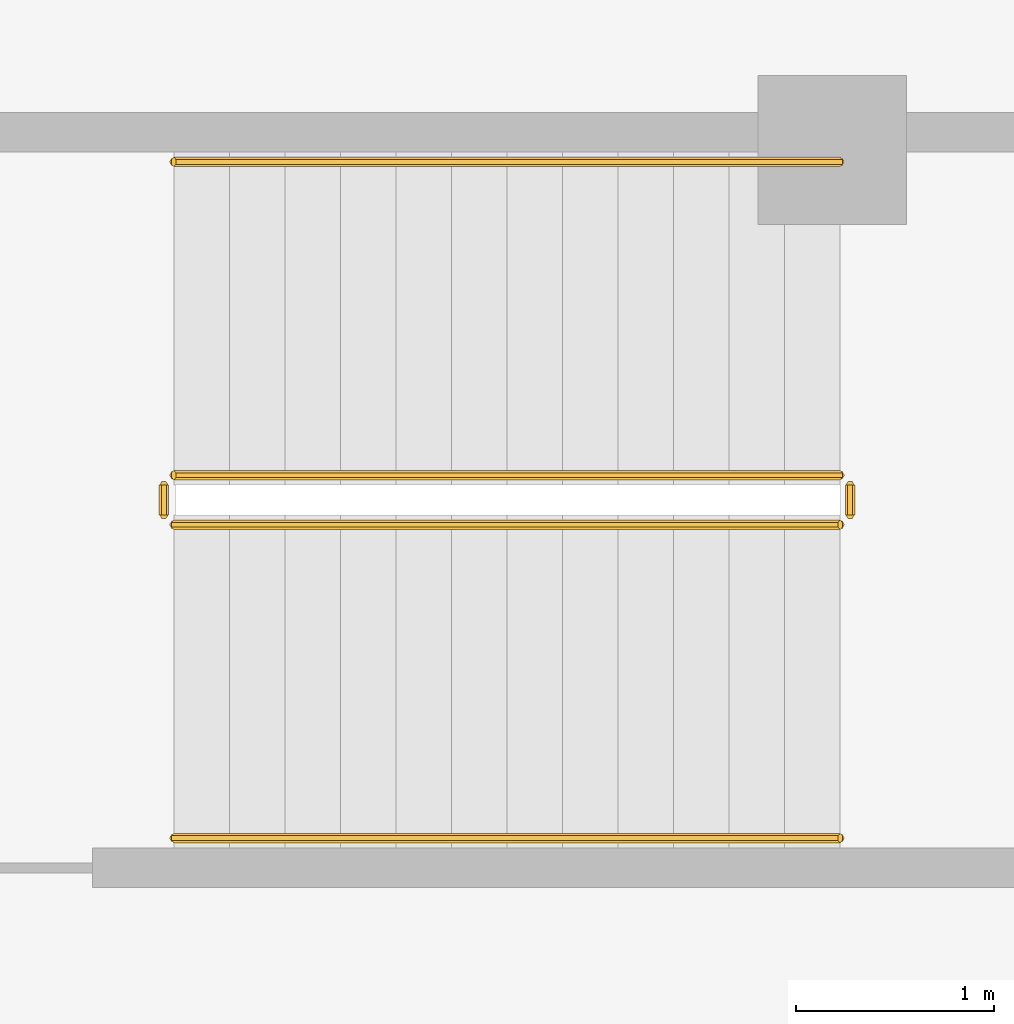
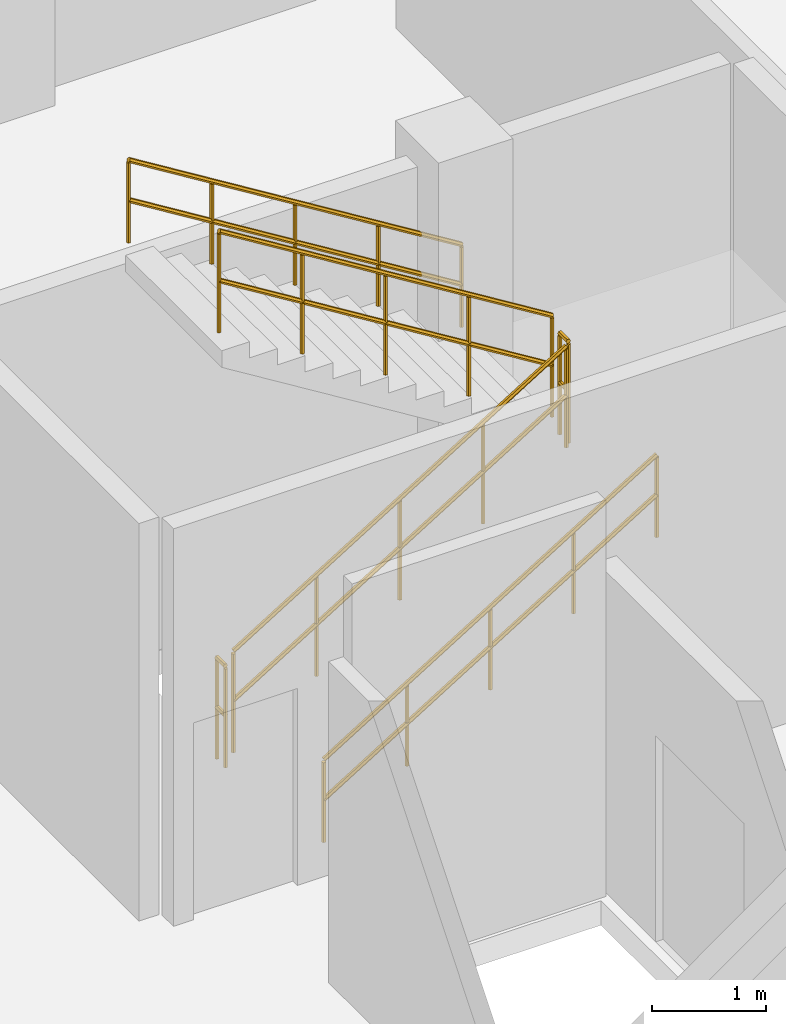
# One storey, part 54 of 55: 6 railings.
"""IFC4 building model written with IfcOpenShell, lengths in metres."""

from ifc_helpers import new_model, si_unit, direction, frame, origin, place, context, subcontext, project, spatial, polyline, outline, extrude, material, type_object, element, save


model = new_model("IFC4")

# Units and contexts
model_context = context("Model", 3, precision=1e-05, world=origin(), true_north=direction((0.0, 1.0)))
body_context = subcontext(model_context, "Body", "Model", "MODEL_VIEW")
ifc_project = project(units=[si_unit("LENGTHUNIT", "METRE"), si_unit("AREAUNIT", "SQUARE_METRE"), si_unit("VOLUMEUNIT", "CUBIC_METRE"), si_unit("PLANEANGLEUNIT", "RADIAN"), si_unit("MASSUNIT", "GRAM", prefix="KILO")], contexts=[model_context])

# Site, building, storey
site_placement = place(None, origin())
site = spatial("IfcSite", under=ifc_project, at=site_placement, CompositionType="ELEMENT")
building_placement = place(site_placement, origin())
building = spatial("IfcBuilding", under=site, at=building_placement, Name="Kelanora Arch Commons", CompositionType="ELEMENT")
storey_placement = place(building_placement, frame((0.0, 0.0, 4.5)))
storey = spatial("IfcBuildingStorey", under=building, at=storey_placement, Name="L01", CompositionType="ELEMENT", Elevation=4.5)

# Railings
ifc_material_1 = material(Name="Painted steel stair well guard", Category="steel")
railing_type_1 = type_object("IfcRailingType", Name="RAIL-STAIR-GRD", PredefinedType="GUARDRAIL", material=ifc_material_1)
railing_1_placement = place(storey_placement, frame((8.679931640625, 72.110107421875, 0.173095703125)))
element("IfcRailing", 1, at=railing_1_placement, inside=storey, type_object=railing_type_1, Name="L01 ST-M3 stair guard 1", PredefinedType="GUARDRAIL", context=body_context, shape_type="SweptSolid", body=[
    extrude(outline(polyline([(0.02392578125, 0.0), (0.011962890625, 0.020751953125), (-0.011962890625, 0.020751953125), (-0.02392578125, 0.0), (-0.011962890625, -0.020751953125), (0.011962890625, -0.020751953125), (0.02392578125, 0.0)])), frame((0.0, 0.0, 1.076171875), z_axis=(0.850623216509, 0.0, 0.525775754039), x_axis=(0.0, 1.0, 0.0)), (0.0, 0.0, 1.0), 3.9501953125),
    extrude(outline(polyline([(0.02392578125, 0.0), (0.011962890625, 0.020751953125), (-0.011962890625, 0.020751953125), (-0.02392578125, 0.0), (-0.011962890625, -0.020751953125), (0.011962890625, -0.020751953125), (0.02392578125, 0.0)])), frame((0.0, 0.0, 0.550048828125), z_axis=(0.850623216509, 0.0, 0.525775754039), x_axis=(0.0, 1.0, 0.0)), (0.0, 0.0, 1.0), 3.9501953125),
    extrude(outline(polyline([(0.02099609375, 0.0), (0.010498046875, 0.01806640625), (-0.010498046875, 0.01806640625), (-0.02099609375, 0.0), (-0.010498046875, -0.01806640625), (0.010498046875, -0.01806640625), (0.02099609375, 0.0)])), origin(), (0.0, 0.0, 1.0), 1.052001953125),
    extrude(outline(polyline([(0.02099609375, 0.0), (0.010498046875, 0.01806640625), (-0.010498046875, 0.01806640625), (-0.02099609375, 0.0), (-0.010498046875, -0.01806640625), (0.010498046875, -0.01806640625), (0.02099609375, 0.0)])), frame((0.840087890625, 0.0, 0.519287109375)), (0.0, 0.0, 1.0), 1.052001953125),
    extrude(outline(polyline([(0.02099609375, 0.0), (0.010498046875, 0.01806640625), (-0.010498046875, 0.01806640625), (-0.02099609375, 0.0), (-0.010498046875, -0.01806640625), (0.010498046875, -0.01806640625), (0.02099609375, 0.0)])), frame((1.68017578125, 0.0, 1.03857421875)), (0.0, 0.0, 1.0), 1.052001953125),
    extrude(outline(polyline([(0.02099609375, 0.0), (0.010498046875, 0.01806640625), (-0.010498046875, 0.01806640625), (-0.02099609375, 0.0), (-0.010498046875, -0.01806640625), (0.010498046875, -0.01806640625), (0.02099609375, 0.0)])), frame((2.52001953125, 0.0, 1.5576171875)), (0.0, 0.0, 1.0), 1.052001953125),
    extrude(outline(polyline([(0.02099609375, 0.0), (0.010498046875, 0.01806640625), (-0.010498046875, 0.01806640625), (-0.02099609375, 0.0), (-0.010498046875, -0.01806640625), (0.010498046875, -0.01806640625), (0.02099609375, 0.0)])), frame((3.360107421875, 0.0, 2.076904296875)), (0.0, 0.0, 1.0), 1.052001953125),
])
railing_2_placement = place(storey_placement, frame((12.090087890625, 72.159912109375, 2.25)))
element("IfcRailing", 2, at=railing_2_placement, inside=storey, type_object=railing_type_1, Name="L01 ST-M3 stair guard 2", PredefinedType="GUARDRAIL", context=body_context, shape_type="SweptSolid", body=[
    extrude(outline(polyline([(0.02392578125, 0.0), (0.011962890625, 0.020751953125), (-0.011962890625, 0.020751953125), (-0.02392578125, 0.0), (-0.011962890625, -0.020751953125), (0.011962890625, -0.020751953125), (0.02392578125, 0.0)])), frame((0.0, 0.0, 1.076171875), z_axis=(0.0, 1.0, 0.0), x_axis=(-1.0, 0.0, 0.0)), (0.0, 0.0, 1.0), 0.150146484375),
    extrude(outline(polyline([(0.02392578125, 0.0), (0.011962890625, 0.020751953125), (-0.011962890625, 0.020751953125), (-0.02392578125, 0.0), (-0.011962890625, -0.020751953125), (0.011962890625, -0.020751953125), (0.02392578125, 0.0)])), frame((0.0, 0.0, 0.550048828125), z_axis=(0.0, 1.0, 0.0), x_axis=(-1.0, 0.0, 0.0)), (0.0, 0.0, 1.0), 0.150146484375),
    extrude(outline(polyline([(0.02099609375, 0.0), (0.010498046875, 0.01806640625), (-0.010498046875, 0.01806640625), (-0.02099609375, 0.0), (-0.010498046875, -0.01806640625), (0.010498046875, -0.01806640625), (0.02099609375, 0.0)])), origin(), (0.0, 0.0, 1.0), 1.052001953125),
    extrude(outline(polyline([(0.02099609375, 0.0), (0.010498046875, 0.01806640625), (-0.010498046875, 0.01806640625), (-0.02099609375, 0.0), (-0.010498046875, -0.01806640625), (0.010498046875, -0.01806640625), (0.02099609375, 0.0)])), frame((0.0, 0.150146484375, 0.0)), (0.0, 0.0, 1.0), 1.052001953125),
])
railing_3_placement = place(storey_placement, frame((12.0400390625, 72.360107421875, 2.423095703125)))
element("IfcRailing", 3, at=railing_3_placement, inside=storey, type_object=railing_type_1, Name="L01 ST-M3 stair guard 3", PredefinedType="GUARDRAIL", context=body_context, shape_type="SweptSolid", body=[
    extrude(outline(polyline([(0.02392578125, 0.0), (0.011962890625, 0.020751953125), (-0.011962890625, 0.020751953125), (-0.02392578125, 0.0), (-0.011962890625, -0.020751953125), (0.011962890625, -0.020751953125), (0.02392578125, 0.0)])), frame((0.0, 0.0, 1.076171875), z_axis=(-0.850623216509, 0.0, 0.525775754039), x_axis=(0.0, -1.0, 0.0)), (0.0, 0.0, 1.0), 3.9501953125),
    extrude(outline(polyline([(0.02392578125, 0.0), (0.011962890625, 0.020751953125), (-0.011962890625, 0.020751953125), (-0.02392578125, 0.0), (-0.011962890625, -0.020751953125), (0.011962890625, -0.020751953125), (0.02392578125, 0.0)])), frame((0.0, 0.0, 0.550048828125), z_axis=(-0.850623216509, 0.0, 0.525775754039), x_axis=(0.0, -1.0, 0.0)), (0.0, 0.0, 1.0), 3.9501953125),
    extrude(outline(polyline([(0.02099609375, 0.0), (0.010498046875, 0.01806640625), (-0.010498046875, 0.01806640625), (-0.02099609375, 0.0), (-0.010498046875, -0.01806640625), (0.010498046875, -0.01806640625), (0.02099609375, 0.0)])), origin(), (0.0, 0.0, 1.0), 1.052001953125),
    extrude(outline(polyline([(0.02099609375, 0.0), (0.010498046875, 0.01806640625), (-0.010498046875, 0.01806640625), (-0.02099609375, 0.0), (-0.010498046875, -0.01806640625), (0.010498046875, -0.01806640625), (0.02099609375, 0.0)])), frame((-0.840087890625, 0.0, 0.519287109375)), (0.0, 0.0, 1.0), 1.052001953125),
    extrude(outline(polyline([(0.02099609375, 0.0), (0.010498046875, 0.01806640625), (-0.010498046875, 0.01806640625), (-0.02099609375, 0.0), (-0.010498046875, -0.01806640625), (0.010498046875, -0.01806640625), (0.02099609375, 0.0)])), frame((-1.68017578125, 0.0, 1.03857421875)), (0.0, 0.0, 1.0), 1.052001953125),
    extrude(outline(polyline([(0.02099609375, 0.0), (0.010498046875, 0.01806640625), (-0.010498046875, 0.01806640625), (-0.02099609375, 0.0), (-0.010498046875, -0.01806640625), (0.010498046875, -0.01806640625), (0.02099609375, 0.0)])), frame((-2.52001953125, 0.0, 1.5576171875)), (0.0, 0.0, 1.0), 1.052001953125),
    extrude(outline(polyline([(0.02099609375, 0.0), (0.010498046875, 0.01806640625), (-0.010498046875, 0.01806640625), (-0.02099609375, 0.0), (-0.010498046875, -0.01806640625), (0.010498046875, -0.01806640625), (0.02099609375, 0.0)])), frame((-3.360107421875, 0.0, 2.076904296875)), (0.0, 0.0, 1.0), 1.052001953125),
])
railing_4_placement = place(storey_placement, frame((8.6298828125, 72.159912109375, 0.0)))
element("IfcRailing", 4, at=railing_4_placement, inside=storey, type_object=railing_type_1, Name="L01 ST-M3 stair guard 4", PredefinedType="GUARDRAIL", context=body_context, shape_type="SweptSolid", body=[
    extrude(outline(polyline([(0.02392578125, 0.0), (0.011962890625, 0.020751953125), (-0.011962890625, 0.020751953125), (-0.02392578125, 0.0), (-0.011962890625, -0.020751953125), (0.011962890625, -0.020751953125), (0.02392578125, 0.0)])), frame((0.0, 0.0, 1.076171875), z_axis=(0.0, 1.0, 0.0), x_axis=(-1.0, 0.0, 0.0)), (0.0, 0.0, 1.0), 0.150146484375),
    extrude(outline(polyline([(0.02392578125, 0.0), (0.011962890625, 0.020751953125), (-0.011962890625, 0.020751953125), (-0.02392578125, 0.0), (-0.011962890625, -0.020751953125), (0.011962890625, -0.020751953125), (0.02392578125, 0.0)])), frame((0.0, 0.0, 0.550048828125), z_axis=(0.0, 1.0, 0.0), x_axis=(-1.0, 0.0, 0.0)), (0.0, 0.0, 1.0), 0.150146484375),
    extrude(outline(polyline([(0.02099609375, 0.0), (0.010498046875, 0.01806640625), (-0.010498046875, 0.01806640625), (-0.02099609375, 0.0), (-0.010498046875, -0.01806640625), (0.010498046875, -0.01806640625), (0.02099609375, 0.0)])), origin(), (0.0, 0.0, 1.0), 1.052001953125),
    extrude(outline(polyline([(0.02099609375, 0.0), (0.010498046875, 0.01806640625), (-0.010498046875, 0.01806640625), (-0.02099609375, 0.0), (-0.010498046875, -0.01806640625), (0.010498046875, -0.01806640625), (0.02099609375, 0.0)])), frame((0.0, 0.150146484375, 0.0)), (0.0, 0.0, 1.0), 1.052001953125),
])
ifc_material_2 = material(Name="Brushed stainless steel stair handrail", Category="steel")
railing_type_2 = type_object("IfcRailingType", Name="RAIL-STAIR-HND", PredefinedType="HANDRAIL", material=ifc_material_2)
railing_5_placement = place(storey_placement, frame((8.679931640625, 70.530029296875, 0.173095703125)))
element("IfcRailing", 5, at=railing_5_placement, inside=storey, type_object=railing_type_2, Name="L01 ST-M3 stair handrail 1", PredefinedType="HANDRAIL", context=body_context, shape_type="SweptSolid", body=[
    extrude(outline(polyline([(0.02392578125, 0.0), (0.011962890625, 0.020751953125), (-0.011962890625, 0.020751953125), (-0.02392578125, 0.0), (-0.011962890625, -0.020751953125), (0.011962890625, -0.020751953125), (0.02392578125, 0.0)])), frame((0.0, 0.0, 0.8759765625), z_axis=(0.850623216509, 0.0, 0.525775754039), x_axis=(0.0, 1.0, 0.0)), (0.0, 0.0, 1.0), 3.9501953125),
    extrude(outline(polyline([(0.02392578125, 0.0), (0.011962890625, 0.020751953125), (-0.011962890625, 0.020751953125), (-0.02392578125, 0.0), (-0.011962890625, -0.020751953125), (0.011962890625, -0.020751953125), (0.02392578125, 0.0)])), frame((0.0, 0.0, 0.449951171875), z_axis=(0.850623216509, 0.0, 0.525775754039), x_axis=(0.0, 1.0, 0.0)), (0.0, 0.0, 1.0), 3.9501953125),
    extrude(outline(polyline([(0.02099609375, 0.0), (0.010498046875, 0.01806640625), (-0.010498046875, 0.01806640625), (-0.02099609375, 0.0), (-0.010498046875, -0.01806640625), (0.010498046875, -0.01806640625), (0.02099609375, 0.0)])), origin(), (0.0, 0.0, 1.0), 0.851806640625),
    extrude(outline(polyline([(0.02099609375, 0.0), (0.010498046875, 0.01806640625), (-0.010498046875, 0.01806640625), (-0.02099609375, 0.0), (-0.010498046875, -0.01806640625), (0.010498046875, -0.01806640625), (0.02099609375, 0.0)])), frame((0.840087890625, 0.0, 0.519287109375)), (0.0, 0.0, 1.0), 0.851806640625),
    extrude(outline(polyline([(0.02099609375, 0.0), (0.010498046875, 0.01806640625), (-0.010498046875, 0.01806640625), (-0.02099609375, 0.0), (-0.010498046875, -0.01806640625), (0.010498046875, -0.01806640625), (0.02099609375, 0.0)])), frame((1.68017578125, 0.0, 1.03857421875)), (0.0, 0.0, 1.0), 0.851806640625),
    extrude(outline(polyline([(0.02099609375, 0.0), (0.010498046875, 0.01806640625), (-0.010498046875, 0.01806640625), (-0.02099609375, 0.0), (-0.010498046875, -0.01806640625), (0.010498046875, -0.01806640625), (0.02099609375, 0.0)])), frame((2.52001953125, 0.0, 1.5576171875)), (0.0, 0.0, 1.0), 0.851806640625),
    extrude(outline(polyline([(0.02099609375, 0.0), (0.010498046875, 0.01806640625), (-0.010498046875, 0.01806640625), (-0.02099609375, 0.0), (-0.010498046875, -0.01806640625), (0.010498046875, -0.01806640625), (0.02099609375, 0.0)])), frame((3.360107421875, 0.0, 2.076904296875)), (0.0, 0.0, 1.0), 0.851806640625),
])
railing_6_placement = place(storey_placement, frame((12.0400390625, 73.93994140625, 2.423095703125)))
element("IfcRailing", 6, at=railing_6_placement, inside=storey, type_object=railing_type_2, Name="L01 ST-M3 stair handrail 2", PredefinedType="HANDRAIL", context=body_context, shape_type="SweptSolid", body=[
    extrude(outline(polyline([(0.02392578125, 0.0), (0.011962890625, 0.020751953125), (-0.011962890625, 0.020751953125), (-0.02392578125, 0.0), (-0.011962890625, -0.020751953125), (0.011962890625, -0.020751953125), (0.02392578125, 0.0)])), frame((0.0, 0.0, 0.8759765625), z_axis=(-0.850623216509, 0.0, 0.525775754039), x_axis=(0.0, -1.0, 0.0)), (0.0, 0.0, 1.0), 3.9501953125),
    extrude(outline(polyline([(0.02392578125, 0.0), (0.011962890625, 0.020751953125), (-0.011962890625, 0.020751953125), (-0.02392578125, 0.0), (-0.011962890625, -0.020751953125), (0.011962890625, -0.020751953125), (0.02392578125, 0.0)])), frame((0.0, 0.0, 0.449951171875), z_axis=(-0.850623216509, 0.0, 0.525775754039), x_axis=(0.0, -1.0, 0.0)), (0.0, 0.0, 1.0), 3.9501953125),
    extrude(outline(polyline([(0.02099609375, 0.0), (0.010498046875, 0.01806640625), (-0.010498046875, 0.01806640625), (-0.02099609375, 0.0), (-0.010498046875, -0.01806640625), (0.010498046875, -0.01806640625), (0.02099609375, 0.0)])), origin(), (0.0, 0.0, 1.0), 0.851806640625),
    extrude(outline(polyline([(0.02099609375, 0.0), (0.010498046875, 0.01806640625), (-0.010498046875, 0.01806640625), (-0.02099609375, 0.0), (-0.010498046875, -0.01806640625), (0.010498046875, -0.01806640625), (0.02099609375, 0.0)])), frame((-0.840087890625, 0.0, 0.519287109375)), (0.0, 0.0, 1.0), 0.851806640625),
    extrude(outline(polyline([(0.02099609375, 0.0), (0.010498046875, 0.01806640625), (-0.010498046875, 0.01806640625), (-0.02099609375, 0.0), (-0.010498046875, -0.01806640625), (0.010498046875, -0.01806640625), (0.02099609375, 0.0)])), frame((-1.68017578125, 0.0, 1.03857421875)), (0.0, 0.0, 1.0), 0.851806640625),
    extrude(outline(polyline([(0.02099609375, 0.0), (0.010498046875, 0.01806640625), (-0.010498046875, 0.01806640625), (-0.02099609375, 0.0), (-0.010498046875, -0.01806640625), (0.010498046875, -0.01806640625), (0.02099609375, 0.0)])), frame((-2.52001953125, 0.0, 1.5576171875)), (0.0, 0.0, 1.0), 0.851806640625),
    extrude(outline(polyline([(0.02099609375, 0.0), (0.010498046875, 0.01806640625), (-0.010498046875, 0.01806640625), (-0.02099609375, 0.0), (-0.010498046875, -0.01806640625), (0.010498046875, -0.01806640625), (0.02099609375, 0.0)])), frame((-3.360107421875, 0.0, 2.076904296875)), (0.0, 0.0, 1.0), 0.851806640625),
])

save(model, "model.ifc")
